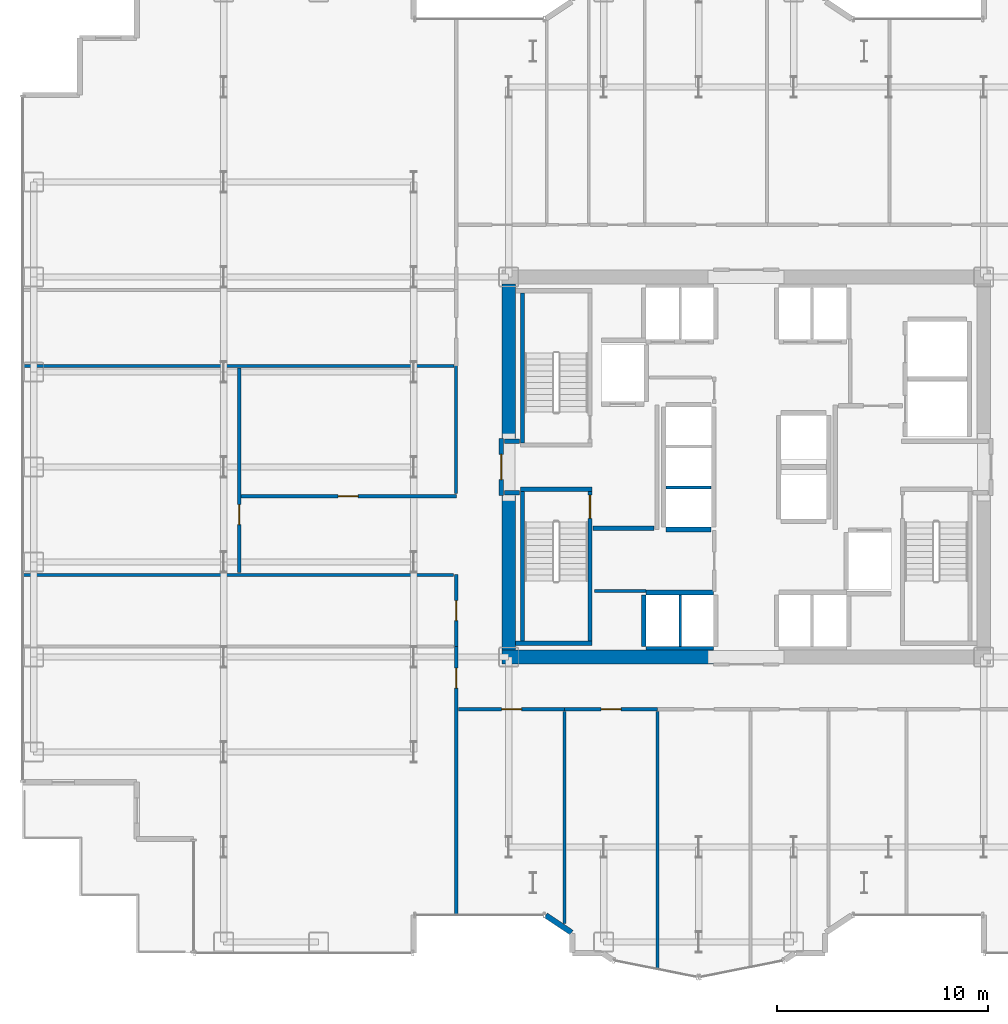
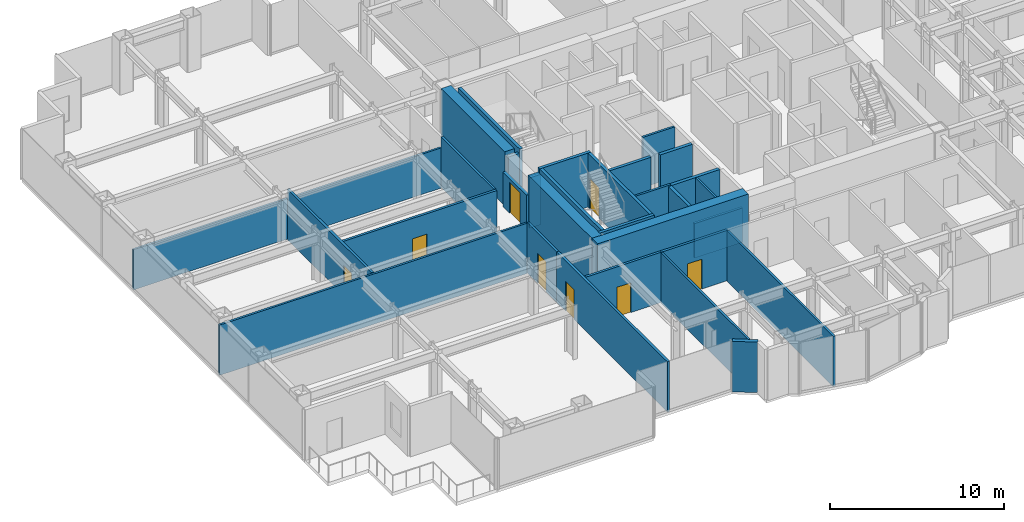
# One storey, part 20 of 27: 31 walls, 8 doors, 8 openings.
"""IFC4 building model written with IfcOpenShell, lengths in metres."""

from ifc_helpers import new_model, si_unit, direction, frame, frame_2d, origin, place, context, subcontext, project, spatial, rectangle, extrude, source, transform, mapped, material, layer, layer_set, type_object, element, fill, save


model = new_model("IFC4")

# Units and contexts
model_context = context("Model", 3, precision=1e-05, world=origin(), true_north=direction((0.0, 1.0)))
body_context = subcontext(model_context, "Body", "Model", "MODEL_VIEW")
ifc_project = project(units=[si_unit("LENGTHUNIT", "METRE"), si_unit("AREAUNIT", "SQUARE_METRE"), si_unit("VOLUMEUNIT", "CUBIC_METRE"), si_unit("PLANEANGLEUNIT", "RADIAN"), si_unit("MASSUNIT", "GRAM", prefix="KILO")], contexts=[model_context])

# Site, building, storey
site_placement = place(None, origin())
site = spatial("IfcSite", under=ifc_project, at=site_placement, CompositionType="ELEMENT")
building_placement = place(site_placement, origin())
building = spatial("IfcBuilding", under=site, at=building_placement, Name="Nefas-Gora Pilgrimage Tower", CompositionType="ELEMENT")
storey_placement = place(building_placement, frame((0.0, 0.0, 48.199951171875)))
storey = spatial("IfcBuildingStorey", under=building, at=storey_placement, Name="L10", CompositionType="ELEMENT", Elevation=48.199951171875)

# Walls
ifc_material_1 = material(Name="Concrete C60/75", Category="concrete")
ifc_layer_1 = layer(ifc_material_1, 0.64990234375)
ifc_layer_set_1 = layer_set([ifc_layer_1], Name="Concrete C60/75")
wall_type_1 = type_object("IfcWallType", Name="SW-CORE-650", PredefinedType="SHEAR", material=ifc_layer_set_1)
shared_shape_1 = source(origin(), body_context, "Body", "SweptSolid", [
    extrude(rectangle(XDim=10.02490234375, YDim=0.64990234375, at=frame_2d((5.012451171875, 0.0))), origin(), (0.0, 0.0, 1.0), 3.800048828125),
])
wall_1_placement = place(storey_placement, frame((-11.574951171875, -9.0, 0.0), z_axis=(0.0, 0.0, 1.0), x_axis=(1.0, 0.0, 0.0)))
element("IfcWall", 1, at=wall_1_placement, inside=storey, type_object=wall_type_1, Name="L10 Core Shear Wall S-West", PredefinedType="SHEAR", context=body_context, shape_type="MappedRepresentation", body=[
    mapped(shared_shape_1, transform((0.0, 0.0, 0.0), x_axis=(1.0, 0.0, 0.0), y_axis=(0.0, 1.0, 0.0), z_axis=(0.0, 0.0, 1.0), scale=1.0)),
])
shared_shape_2 = source(origin(), body_context, "Body", "SweptSolid", [
    extrude(rectangle(XDim=7.324951171875, YDim=0.64990234375, at=frame_2d((3.66259765625, 0.0))), origin(), (0.0, 0.0, 1.0), 3.800048828125),
])
for number, where, z_axis, x_axis, name in (
    (2, (-11.25, -8.675048828125, 0.0), (0.0, 0.0, 1.0), (0.0, 1.0, 0.0), "L10 Core Shear Wall W-South"),
    (3, (-11.25, 1.35009765625, 0.0), (0.0, 0.0, 1.0), (0.0, 1.0, 0.0), "L10 Core Shear Wall W-North"),
):
    element("IfcWall", number, at=place(storey_placement, frame(where, z_axis=z_axis, x_axis=x_axis)), inside=storey, type_object=wall_type_1, Name=name, PredefinedType="SHEAR", context=body_context, shape_type="MappedRepresentation", body=[
        mapped(shared_shape_2, transform((0.0, 0.0, 0.0), x_axis=(1.0, 0.0, 0.0), y_axis=(0.0, 1.0, 0.0), z_axis=(0.0, 0.0, 1.0), scale=1.0)),
    ])
ifc_material_2 = material(Name="Precast concrete C40/50", Category="concrete")
ifc_layer_2 = layer(ifc_material_2, 0.260009765625)
ifc_layer_set_2 = layer_set([ifc_layer_2], Name="Precast concrete C40/50")
wall_type_2 = type_object("IfcWallType", Name="EW-PORTAL-260", PredefinedType="SOLIDWALL", material=ifc_layer_set_2)
shared_shape_3 = source(origin(), body_context, "Body", "SweptSolid", [
    extrude(rectangle(XDim=1.468994140625, YDim=0.260009765625, at=frame_2d((0.734375, 0.0))), origin(), (0.0, 0.0, 1.0), 3.550048828125),
])
wall_2_placement = place(storey_placement, frame((-9.49462890625, -21.235595703125, 0.0), z_axis=(0.0, 0.0, 1.0), x_axis=(0.831461760506, -0.555581983884, 0.0)))
element("IfcWall", 4, at=wall_2_placement, inside=storey, type_object=wall_type_2, Name="L10 Lobe Shoulder Precast Spandrel Pier 28", PredefinedType="SOLIDWALL", context=body_context, shape_type="MappedRepresentation", body=[
    mapped(shared_shape_3, transform((0.0, 0.0, 0.0), x_axis=(1.0, 0.0, 0.0), y_axis=(0.0, 1.0, 0.0), z_axis=(0.0, 0.0, 1.0), scale=1.0)),
])
ifc_material_3 = material(Name="Concrete C45/55", Category="concrete")
ifc_layer_3 = layer(ifc_material_3, 0.199951171875)
ifc_layer_set_3 = layer_set([ifc_layer_3], Name="Concrete C45/55")
wall_type_3 = type_object("IfcWallType", Name="IW-STAIR-200", PredefinedType="SOLIDWALL", material=ifc_layer_set_3)
shared_shape_4 = source(origin(), body_context, "Body", "SweptSolid", [
    extrude(rectangle(XDim=3.39990234375, YDim=0.199951171875, at=frame_2d((1.699951171875, 0.0))), origin(), (0.0, 0.0, 1.0), 3.800048828125),
])
wall_3_placement = place(storey_placement, frame((-10.699951171875, -1.050048828125, 0.0), z_axis=(0.0, 0.0, 1.0), x_axis=(1.0, 0.0, 0.0)))
element("IfcWall", 5, at=wall_3_placement, inside=storey, type_object=wall_type_3, Name="L10 Stairwell Shear Wall ST-03-near", PredefinedType="SOLIDWALL", context=body_context, shape_type="MappedRepresentation", body=[
    mapped(shared_shape_4, transform((0.0, 0.0, 0.0), x_axis=(1.0, 0.0, 0.0), y_axis=(0.0, 1.0, 0.0), z_axis=(0.0, 0.0, 1.0), scale=1.0)),
])
shared_shape_5 = source(origin(), body_context, "Body", "SweptSolid", [
    extrude(rectangle(XDim=3.6298828125, YDim=0.199951171875, at=frame_2d((1.81494140625, 0.0))), origin(), (0.0, 0.0, 1.0), 3.800048828125),
])
wall_4_placement = place(storey_placement, frame((-10.929931640625, -8.35009765625, 0.0), z_axis=(0.0, 0.0, 1.0), x_axis=(1.0, 0.0, 0.0)))
element("IfcWall", 6, at=wall_4_placement, inside=storey, type_object=wall_type_3, Name="L10 Stairwell Shear Wall ST-03-far", PredefinedType="SOLIDWALL", context=body_context, shape_type="MappedRepresentation", body=[
    mapped(shared_shape_5, transform((0.0, 0.0, 0.0), x_axis=(1.0, 0.0, 0.0), y_axis=(0.0, 1.0, 0.0), z_axis=(0.0, 0.0, 1.0), scale=1.0)),
])
shared_shape_6 = source(origin(), body_context, "Body", "SweptSolid", [
    extrude(rectangle(XDim=7.10009765625, YDim=0.199951171875, at=frame_2d((3.550048828125, 0.0))), origin(), (0.0, 0.0, 1.0), 3.800048828125),
])
for number, where, z_axis, x_axis, name in (
    (7, (-10.60009765625, 1.14990234375, 0.0), (0.0, 0.0, 1.0), (0.0, 1.0, 0.0), "L10 Stairwell Shear Wall ST-01-right"),
    (8, (-10.60009765625, -1.14990234375, 0.0), (0.0, 0.0, 1.0), (0.0, -1.0, 0.0), "L10 Stairwell Shear Wall ST-03-left"),
):
    element("IfcWall", number, at=place(storey_placement, frame(where, z_axis=z_axis, x_axis=x_axis)), inside=storey, type_object=wall_type_3, Name=name, PredefinedType="SOLIDWALL", context=body_context, shape_type="MappedRepresentation", body=[
        mapped(shared_shape_6, transform((0.0, 0.0, 0.0), x_axis=(1.0, 0.0, 0.0), y_axis=(0.0, 1.0, 0.0), z_axis=(0.0, 0.0, 1.0), scale=1.0)),
    ])

# Wall, opening, door
wall_5_placement = place(storey_placement, frame((-7.39990234375, -1.14990234375, 0.0), z_axis=(0.0, 0.0, 1.0), x_axis=(0.0, -1.0, 0.0)))
wall_5 = element("IfcWall", 9, at=wall_5_placement, inside=storey, type_object=wall_type_3, Name="L10 Stairwell Shear Wall ST-03-right", PredefinedType="SOLIDWALL", context=body_context, shape_type="MappedRepresentation", body=[
    mapped(shared_shape_6, transform((0.0, 0.0, 0.0), x_axis=(1.0, 0.0, 0.0), y_axis=(0.0, 1.0, 0.0), z_axis=(0.0, 0.0, 1.0), scale=1.0)),
])
opening_1_placement = place(wall_5_placement, frame((0.179931640625, 0.0, 0.0)))
opening_1 = element("IfcOpeningElement", 10, at=opening_1_placement, cuts=wall_5, Name="Opening ID-ST1", PredefinedType="OPENING", context=body_context, shape_type="SweptSolid", body=[
    extrude(rectangle(XDim=1.10009765625, YDim=2.14990234375, at=frame_2d((0.550048828125, 1.074951171875))), frame((0.0, 0.10986328125, 0.0), z_axis=(0.0, -1.0, 0.0), x_axis=(1.0, 0.0, 0.0)), (0.0, 0.0, 1.0), 0.219970703125),
])
ifc_material_4 = material(Name="Painted galvanised steel fire stair door", Category="steel")
door_type_1 = type_object("IfcDoorType", Name="DR-INT-STAIR-1100", OperationType="NOTDEFINED", PredefinedType="DOOR", material=ifc_material_4)
shared_shape_7 = source(origin(), body_context, "Body", "SweptSolid", [
    extrude(rectangle(XDim=1.10009765625, YDim=2.14990234375, at=frame_2d((0.550048828125, 1.074951171875))), frame((0.0, 0.02490234375, 0.0), z_axis=(0.0, -1.0, 0.0), x_axis=(1.0, 0.0, 0.0)), (0.0, 0.0, 1.0), 0.050048828125),
])
door_1_placement = place(opening_1_placement, origin())
door_1 = element("IfcDoor", 11, at=door_1_placement, inside=storey, type_object=door_type_1, Name="L10 Protected Exit Stair Door ST-03", OperationType="SINGLE_SWING_RIGHT", OverallHeight=2.14990234375, OverallWidth=1.10009765625, PredefinedType="DOOR", context=body_context, shape_type="MappedRepresentation", body=[
    mapped(shared_shape_7, transform((0.0, 0.0, 0.0), x_axis=(1.0, 0.0, 0.0), y_axis=(0.0, 1.0, 0.0), z_axis=(0.0, 0.0, 1.0), scale=1.0)),
])
fill(opening_1, door_1)

# Walls
ifc_material_5 = material(Name="Gypsum acoustic stud partition")
ifc_layer_4 = layer(ifc_material_5, 0.159912109375)
ifc_layer_set_4 = layer_set([ifc_layer_4], Name="Gypsum acoustic stud partition")
wall_type_4 = type_object("IfcWallType", Name="IW-CORR-160", PredefinedType="PARTITIONING", material=ifc_layer_set_4)
shared_shape_8 = source(origin(), body_context, "Body", "SweptSolid", [
    extrude(rectangle(XDim=3.199951171875, YDim=0.159912109375, at=frame_2d((1.60009765625, 0.0))), origin(), (0.0, 0.0, 1.0), 2.425048828125),
])
wall_6_placement = place(storey_placement, frame((-4.75, -8.580078125, 0.0), z_axis=(0.0, 0.0, 1.0), x_axis=(1.0, 0.0, 0.0)))
element("IfcWall", 12, at=wall_6_placement, inside=storey, type_object=wall_type_4, Name="L10 Hoistway Wall PL2-W-S", PredefinedType="PARTITIONING", context=body_context, shape_type="MappedRepresentation", body=[
    mapped(shared_shape_8, transform((0.0, 0.0, 0.0), x_axis=(1.0, 0.0, 0.0), y_axis=(0.0, 1.0, 0.0), z_axis=(0.0, 0.0, 1.0), scale=1.0)),
])
ifc_material_6 = material(Name="Concrete C40/50", Category="concrete")
ifc_layer_5 = layer(ifc_material_6, 0.219970703125)
ifc_layer_set_5 = layer_set([ifc_layer_5], Name="Concrete C40/50")
wall_type_5 = type_object("IfcWallType", Name="IW-SHAFT-220", PredefinedType="SOLIDWALL", material=ifc_layer_set_5)
shared_shape_9 = source(origin(), body_context, "Body", "SweptSolid", [
    extrude(rectangle(XDim=3.199951171875, YDim=0.219970703125, at=frame_2d((1.60009765625, 0.0))), origin(), (0.0, 0.0, 1.0), 3.53515625),
])
wall_7_placement = place(storey_placement, frame((-1.550048828125, -5.93994140625, 0.0), z_axis=(0.0, 0.0, 1.0), x_axis=(-1.0, 0.0, 0.0)))
element("IfcWall", 13, at=wall_7_placement, inside=storey, type_object=wall_type_5, Name="L10 Hoistway Wall PL2-W-N", PredefinedType="SOLIDWALL", context=body_context, shape_type="MappedRepresentation", body=[
    mapped(shared_shape_9, transform((0.0, 0.0, 0.0), x_axis=(1.0, 0.0, 0.0), y_axis=(0.0, 1.0, 0.0), z_axis=(0.0, 0.0, 1.0), scale=1.0)),
])
shared_shape_10 = source(origin(), body_context, "Body", "SweptSolid", [
    extrude(rectangle(XDim=2.429931640625, YDim=0.219970703125, at=frame_2d((1.21484375, 0.0))), origin(), (0.0, 0.0, 1.0), 3.53515625),
])
wall_8_placement = place(storey_placement, frame((-4.860107421875, -6.06005859375, 0.0), z_axis=(0.0, 0.0, 1.0), x_axis=(0.0, -1.0, 0.0)))
element("IfcWall", 14, at=wall_8_placement, inside=storey, type_object=wall_type_5, Name="L10 Hoistway Wall PL2-W-W", PredefinedType="SOLIDWALL", context=body_context, shape_type="MappedRepresentation", body=[
    mapped(shared_shape_10, transform((0.0, 0.0, 0.0), x_axis=(1.0, 0.0, 0.0), y_axis=(0.0, 1.0, 0.0), z_axis=(0.0, 0.0, 1.0), scale=1.0)),
])
ifc_material_7 = material(Name="Gypsum twin-stud partition")
ifc_layer_6 = layer(ifc_material_7, 0.139892578125)
ifc_layer_set_6 = layer_set([ifc_layer_6], Name="Gypsum twin-stud partition")
wall_type_6 = type_object("IfcWallType", Name="IW-UNIT-140", PredefinedType="PARTITIONING", material=ifc_layer_set_6)
shared_shape_11 = source(origin(), body_context, "Body", "SweptSolid", [
    extrude(rectangle(XDim=2.429931640625, YDim=0.139892578125, at=frame_2d((1.21484375, 0.0))), origin(), (0.0, 0.0, 1.0), 3.53515625),
])
wall_9_placement = place(storey_placement, frame((-3.125, -8.489990234375, 0.0), z_axis=(0.0, 0.0, 1.0), x_axis=(0.0, 1.0, 0.0)))
element("IfcWall", 15, at=wall_9_placement, inside=storey, type_object=wall_type_6, Name="L10 Hoistway Wall PL2-W-DIV", PredefinedType="PARTITIONING", context=body_context, shape_type="MappedRepresentation", body=[
    mapped(shared_shape_11, transform((0.0, 0.0, 0.0), x_axis=(1.0, 0.0, 0.0), y_axis=(0.0, 1.0, 0.0), z_axis=(0.0, 0.0, 1.0), scale=1.0)),
])
shared_shape_12 = source(origin(), body_context, "Body", "SweptSolid", [
    extrude(rectangle(XDim=2.130126953125, YDim=0.219970703125, at=frame_2d((1.06494140625, 0.0))), origin(), (0.0, 0.0, 1.0), 3.53515625),
])
wall_10_placement = place(storey_placement, frame((-3.7900390625, -2.9599609375, 0.0), z_axis=(0.0, 0.0, 1.0), x_axis=(1.0, 0.0, 0.0)))
element("IfcWall", 16, at=wall_10_placement, inside=storey, type_object=wall_type_5, Name="L10 Hoistway Wall PL3-01-S", PredefinedType="SOLIDWALL", context=body_context, shape_type="MappedRepresentation", body=[
    mapped(shared_shape_12, transform((0.0, 0.0, 0.0), x_axis=(1.0, 0.0, 0.0), y_axis=(0.0, 1.0, 0.0), z_axis=(0.0, 0.0, 1.0), scale=1.0)),
])
shared_shape_13 = source(origin(), body_context, "Body", "SweptSolid", [
    extrude(rectangle(XDim=2.130126953125, YDim=0.139892578125, at=frame_2d((1.06494140625, 0.0))), origin(), (0.0, 0.0, 1.0), 3.53515625),
])
wall_11_placement = place(storey_placement, frame((-3.7900390625, -0.97509765625, 0.0), z_axis=(0.0, 0.0, 1.0), x_axis=(1.0, 0.0, 0.0)))
element("IfcWall", 17, at=wall_11_placement, inside=storey, type_object=wall_type_6, Name="L10 Hoistway Wall PL3-01-02-DIV", PredefinedType="PARTITIONING", context=body_context, shape_type="MappedRepresentation", body=[
    mapped(shared_shape_13, transform((0.0, 0.0, 0.0), x_axis=(1.0, 0.0, 0.0), y_axis=(0.0, 1.0, 0.0), z_axis=(0.0, 0.0, 1.0), scale=1.0)),
])

# Wall, opening, door
ifc_material_8 = material(Name="Gypsum fire-rated shaftwall")
ifc_layer_7 = layer(ifc_material_8, 0.199951171875)
ifc_layer_set_7 = layer_set([ifc_layer_7], Name="Gypsum fire-rated shaftwall")
wall_type_7 = type_object("IfcWallType", Name="IW-FFLOB-200", PredefinedType="PARTITIONING", material=ifc_layer_set_7)
shared_shape_14 = source(origin(), body_context, "Body", "SweptSolid", [
    extrude(rectangle(XDim=2.7001953125, YDim=0.199951171875, at=frame_2d((1.35009765625, 0.0))), origin(), (0.0, 0.0, 1.0), 2.425048828125),
])
wall_12_placement = place(storey_placement, frame((-11.60009765625, -1.35009765625, 0.0), z_axis=(0.0, 0.0, 1.0), x_axis=(0.0, 1.0, 0.0)))
wall_12 = element("IfcWall", 18, at=wall_12_placement, inside=storey, type_object=wall_type_7, Name="L10 FF Lobby West Portal Wall 3", PredefinedType="PARTITIONING", context=body_context, shape_type="MappedRepresentation", body=[
    mapped(shared_shape_14, transform((0.0, 0.0, 0.0), x_axis=(1.0, 0.0, 0.0), y_axis=(0.0, 1.0, 0.0), z_axis=(0.0, 0.0, 1.0), scale=1.0)),
])
opening_2_placement = place(wall_12_placement, frame((0.75, 0.0, 0.0)))
opening_2 = element("IfcOpeningElement", 19, at=opening_2_placement, cuts=wall_12, Name="Opening ID-FF1", PredefinedType="OPENING", context=body_context, shape_type="SweptSolid", body=[
    extrude(rectangle(XDim=1.199951171875, YDim=2.14990234375, at=frame_2d((0.60009765625, 1.074951171875))), frame((0.0, 0.10986328125, 0.0), z_axis=(0.0, -1.0, 0.0), x_axis=(1.0, 0.0, 0.0)), (0.0, 0.0, 1.0), 0.219970703125),
])
ifc_material_9 = material(Name="Smoke-sealed steel firefighting lobby door", Category="steel")
door_type_2 = type_object("IfcDoorType", Name="DR-INT-FFLOB-1200", OperationType="NOTDEFINED", PredefinedType="DOOR", material=ifc_material_9)
shared_shape_15 = source(origin(), body_context, "Body", "SweptSolid", [
    extrude(rectangle(XDim=1.199951171875, YDim=2.14990234375, at=frame_2d((0.60009765625, 1.074951171875))), frame((0.0, 0.02490234375, 0.0), z_axis=(0.0, -1.0, 0.0), x_axis=(1.0, 0.0, 0.0)), (0.0, 0.0, 1.0), 0.050048828125),
])
door_2_placement = place(opening_2_placement, origin())
door_2 = element("IfcDoor", 20, at=door_2_placement, inside=storey, type_object=door_type_2, Name="L10 FF Lobby West Portal Door 1", OperationType="SINGLE_SWING_RIGHT", OverallHeight=2.14990234375, OverallWidth=1.199951171875, PredefinedType="DOOR", context=body_context, shape_type="MappedRepresentation", body=[
    mapped(shared_shape_15, transform((0.0, 0.0, 0.0), x_axis=(1.0, 0.0, 0.0), y_axis=(0.0, 1.0, 0.0), z_axis=(0.0, 0.0, 1.0), scale=1.0)),
])
fill(opening_2, door_2)

# Walls
shared_shape_16 = source(origin(), body_context, "Body", "SweptSolid", [
    extrude(rectangle(XDim=2.89990234375, YDim=0.199951171875, at=frame_2d((1.449951171875, 0.0))), origin(), (0.0, 0.0, 1.0), 3.53515625),
])
wall_13_placement = place(storey_placement, frame((-7.260009765625, -2.89990234375, 0.0), z_axis=(0.0, 0.0, 1.0), x_axis=(1.0, 0.0, 0.0)))
element("IfcWall", 21, at=wall_13_placement, inside=storey, type_object=wall_type_7, Name="L10 FF Lobby West South Wall Wall 5", PredefinedType="PARTITIONING", context=body_context, shape_type="MappedRepresentation", body=[
    mapped(shared_shape_16, transform((0.0, 0.0, 0.0), x_axis=(1.0, 0.0, 0.0), y_axis=(0.0, 1.0, 0.0), z_axis=(0.0, 0.0, 1.0), scale=1.0)),
])
shared_shape_17 = source(origin(), body_context, "Body", "SweptSolid", [
    extrude(rectangle(XDim=0.719970703125, YDim=0.199951171875, at=frame_2d((0.35986328125, 0.0))), origin(), (0.0, 0.0, 1.0), 3.53515625),
])
for number, where, z_axis, x_axis, name in (
    (22, (-11.4599609375, 1.219970703125, 0.0), (0.0, 0.0, 1.0), (1.0, 0.0, 0.0), "L10 FF Lobby West Throat N Wall 6"),
    (23, (-11.4599609375, -1.219970703125, 0.0), (0.0, 0.0, 1.0), (1.0, 0.0, 0.0), "L10 FF Lobby West Throat S Wall 7"),
):
    element("IfcWall", number, at=place(storey_placement, frame(where, z_axis=z_axis, x_axis=x_axis)), inside=storey, type_object=wall_type_7, Name=name, PredefinedType="PARTITIONING", context=body_context, shape_type="MappedRepresentation", body=[
        mapped(shared_shape_17, transform((0.0, 0.0, 0.0), x_axis=(1.0, 0.0, 0.0), y_axis=(0.0, 1.0, 0.0), z_axis=(0.0, 0.0, 1.0), scale=1.0)),
    ])

# Wall, opening, door
shared_shape_18 = source(origin(), body_context, "Body", "SweptSolid", [
    extrude(rectangle(XDim=12.744873046875, YDim=0.159912109375, at=frame_2d((6.37255859375, 0.0))), origin(), (0.0, 0.0, 1.0), 3.53515625),
])
wall_14_placement = place(storey_placement, frame((-13.739990234375, -21.239990234375, 0.0), z_axis=(0.0, 0.0, 1.0), x_axis=(0.0, 1.0, 0.0)))
wall_14 = element("IfcWall", 24, at=wall_14_placement, inside=storey, type_object=wall_type_4, Name="L10 Pilgrim Tea and Beverage Pantry Partition Wall 23", PredefinedType="PARTITIONING", context=body_context, shape_type="MappedRepresentation", body=[
    mapped(shared_shape_18, transform((0.0, 0.0, 0.0), x_axis=(1.0, 0.0, 0.0), y_axis=(0.0, 1.0, 0.0), z_axis=(0.0, 0.0, 1.0), scale=1.0)),
])
opening_3_placement = place(wall_14_placement, frame((10.762451171875, 0.0, 0.0)))
opening_3 = element("IfcOpeningElement", 25, at=opening_3_placement, cuts=wall_14, Name="Opening ID-GR1", PredefinedType="OPENING", context=body_context, shape_type="SweptSolid", body=[
    extrude(rectangle(XDim=0.949951171875, YDim=2.10009765625, at=frame_2d((0.47509765625, 1.050048828125))), frame((0.0, 0.08984375, 0.0), z_axis=(0.0, -1.0, 0.0), x_axis=(1.0, 0.0, 0.0)), (0.0, 0.0, 1.0), 0.179931640625),
])
ifc_material_10 = material(Name="Solid core oak fire-rated guest entrance door")
door_type_3 = type_object("IfcDoorType", Name="DR-INT-GUEST-950", OperationType="NOTDEFINED", PredefinedType="DOOR", material=ifc_material_10)
shared_shape_19 = source(origin(), body_context, "Body", "SweptSolid", [
    extrude(rectangle(XDim=0.949951171875, YDim=2.10009765625, at=frame_2d((0.47509765625, 1.050048828125))), frame((0.0, 0.02490234375, 0.0), z_axis=(0.0, -1.0, 0.0), x_axis=(1.0, 0.0, 0.0)), (0.0, 0.0, 1.0), 0.050048828125),
])
door_3_placement = place(opening_3_placement, origin())
door_3 = element("IfcDoor", 26, at=door_3_placement, inside=storey, type_object=door_type_3, Name="L10 Pilgrim Tea and Beverage Pantry Door 9", OperationType="SINGLE_SWING_RIGHT", OverallHeight=2.10009765625, OverallWidth=0.949951171875, PredefinedType="DOOR", context=body_context, shape_type="MappedRepresentation", body=[
    mapped(shared_shape_19, transform((0.0, 0.0, 0.0), x_axis=(1.0, 0.0, 0.0), y_axis=(0.0, 1.0, 0.0), z_axis=(0.0, 0.0, 1.0), scale=1.0)),
])
fill(opening_3, door_3)

shared_shape_20 = source(origin(), body_context, "Body", "SweptSolid", [
    extrude(rectangle(XDim=3.409912109375, YDim=0.159912109375, at=frame_2d((1.705078125, 0.0))), origin(), (0.0, 0.0, 1.0), 3.53515625),
])
wall_15_placement = place(storey_placement, frame((-13.739990234375, -8.5048828125, 0.0), z_axis=(0.0, 0.0, 1.0), x_axis=(0.0, 1.0, 0.0)))
wall_15 = element("IfcWall", 27, at=wall_15_placement, inside=storey, type_object=wall_type_4, Name="L10 Pilgrim Fellowship Seminar Room Partition Wall 25", PredefinedType="PARTITIONING", context=body_context, shape_type="MappedRepresentation", body=[
    mapped(shared_shape_20, transform((0.0, 0.0, 0.0), x_axis=(1.0, 0.0, 0.0), y_axis=(0.0, 1.0, 0.0), z_axis=(0.0, 0.0, 1.0), scale=1.0)),
])
opening_4_placement = place(wall_15_placement, frame((1.22998046875, 0.0, 0.0)))
opening_4 = element("IfcOpeningElement", 28, at=opening_4_placement, cuts=wall_15, Name="Opening ID-GR1", PredefinedType="OPENING", context=body_context, shape_type="SweptSolid", body=[
    extrude(rectangle(XDim=0.949951171875, YDim=2.10009765625, at=frame_2d((0.47509765625, 1.050048828125))), frame((0.0, 0.08984375, 0.0), z_axis=(0.0, -1.0, 0.0), x_axis=(1.0, 0.0, 0.0)), (0.0, 0.0, 1.0), 0.179931640625),
])
door_4_placement = place(opening_4_placement, origin())
door_4 = element("IfcDoor", 29, at=door_4_placement, inside=storey, type_object=door_type_3, Name="L10 Pilgrim Fellowship Seminar Room Door 10", OperationType="SINGLE_SWING_LEFT", OverallHeight=2.10009765625, OverallWidth=0.949951171875, PredefinedType="DOOR", context=body_context, shape_type="MappedRepresentation", body=[
    mapped(shared_shape_19, transform((0.0, 0.0, 0.0), x_axis=(1.0, 0.0, 0.0), y_axis=(0.0, 1.0, 0.0), z_axis=(0.0, 0.0, 1.0), scale=1.0)),
])
fill(opening_4, door_4)

shared_shape_21 = source(origin(), body_context, "Body", "SweptSolid", [
    extrude(rectangle(XDim=10.25, YDim=0.159912109375, at=frame_2d((5.125, 0.0))), origin(), (0.0, 0.0, 1.0), 3.53515625),
])
wall_16_placement = place(storey_placement, frame((-23.97998046875, -1.3798828125, 0.0), z_axis=(0.0, 0.0, 1.0), x_axis=(1.0, 0.0, 0.0)))
wall_16 = element("IfcWall", 30, at=wall_16_placement, inside=storey, type_object=wall_type_4, Name="L10 Pilgrim Fellowship Seminar Room Partition Wall 27", PredefinedType="PARTITIONING", context=body_context, shape_type="MappedRepresentation", body=[
    mapped(shared_shape_21, transform((0.0, 0.0, 0.0), x_axis=(1.0, 0.0, 0.0), y_axis=(0.0, 1.0, 0.0), z_axis=(0.0, 0.0, 1.0), scale=1.0)),
])
opening_5_placement = place(wall_16_placement, frame((4.64990234375, 0.0, 0.0)))
opening_5 = element("IfcOpeningElement", 31, at=opening_5_placement, cuts=wall_16, Name="Opening ID-GR1", PredefinedType="OPENING", context=body_context, shape_type="SweptSolid", body=[
    extrude(rectangle(XDim=0.949951171875, YDim=2.10009765625, at=frame_2d((0.47509765625, 1.050048828125))), frame((0.0, 0.08984375, 0.0), z_axis=(0.0, -1.0, 0.0), x_axis=(1.0, 0.0, 0.0)), (0.0, 0.0, 1.0), 0.179931640625),
])
door_5_placement = place(opening_5_placement, origin())
door_5 = element("IfcDoor", 32, at=door_5_placement, inside=storey, type_object=door_type_3, Name="L10 Pilgrim Fellowship Seminar Room Door 11", OperationType="SINGLE_SWING_RIGHT", OverallHeight=2.10009765625, OverallWidth=0.949951171875, PredefinedType="DOOR", context=body_context, shape_type="MappedRepresentation", body=[
    mapped(shared_shape_19, transform((0.0, 0.0, 0.0), x_axis=(1.0, 0.0, 0.0), y_axis=(0.0, 1.0, 0.0), z_axis=(0.0, 0.0, 1.0), scale=1.0)),
])
fill(opening_5, door_5)

# Wall
shared_shape_22 = source(origin(), body_context, "Body", "SweptSolid", [
    extrude(rectangle(XDim=6.06494140625, YDim=0.139892578125, at=frame_2d((3.032470703125, 0.0))), origin(), (0.0, 0.0, 1.0), 3.53515625),
])
wall_17_placement = place(storey_placement, frame((-13.739990234375, -1.260009765625, 0.0), z_axis=(0.0, 0.0, 1.0), x_axis=(0.0, 1.0, 0.0)))
element("IfcWall", 33, at=wall_17_placement, inside=storey, type_object=wall_type_6, Name="L10 Pilgrim Fellowship Seminar Room Partition Wall 28", PredefinedType="PARTITIONING", context=body_context, shape_type="MappedRepresentation", body=[
    mapped(shared_shape_22, transform((0.0, 0.0, 0.0), x_axis=(1.0, 0.0, 0.0), y_axis=(0.0, 1.0, 0.0), z_axis=(0.0, 0.0, 1.0), scale=1.0)),
])

# Wall, opening, door
shared_shape_23 = source(origin(), body_context, "Body", "SweptSolid", [
    extrude(rectangle(XDim=9.68017578125, YDim=0.159912109375, at=frame_2d((4.840087890625, 0.0))), origin(), (0.0, 0.0, 1.0), 3.53515625),
])
wall_18_placement = place(storey_placement, frame((-24.02001953125, -4.9951171875, 0.0), z_axis=(0.0, 0.0, 1.0), x_axis=(0.0, 1.0, 0.0)))
wall_18 = element("IfcWall", 34, at=wall_18_placement, inside=storey, type_object=wall_type_4, Name="L10 Pilgrim Fellowship Seminar Room Partition Wall 30", PredefinedType="PARTITIONING", context=body_context, shape_type="MappedRepresentation", body=[
    mapped(shared_shape_23, transform((0.0, 0.0, 0.0), x_axis=(1.0, 0.0, 0.0), y_axis=(0.0, 1.0, 0.0), z_axis=(0.0, 0.0, 1.0), scale=1.0)),
])
opening_6_placement = place(wall_18_placement, frame((2.27001953125, 0.0, 0.0)))
opening_6 = element("IfcOpeningElement", 35, at=opening_6_placement, cuts=wall_18, Name="Opening ID-GR1", PredefinedType="OPENING", context=body_context, shape_type="SweptSolid", body=[
    extrude(rectangle(XDim=0.949951171875, YDim=2.10009765625, at=frame_2d((0.47509765625, 1.050048828125))), frame((0.0, 0.08984375, 0.0), z_axis=(0.0, -1.0, 0.0), x_axis=(1.0, 0.0, 0.0)), (0.0, 0.0, 1.0), 0.179931640625),
])
door_6_placement = place(opening_6_placement, origin())
door_6 = element("IfcDoor", 36, at=door_6_placement, inside=storey, type_object=door_type_3, Name="L10 Pilgrim Fellowship Seminar Room Door 12", OperationType="SINGLE_SWING_LEFT", OverallHeight=2.10009765625, OverallWidth=0.949951171875, PredefinedType="DOOR", context=body_context, shape_type="MappedRepresentation", body=[
    mapped(shared_shape_19, transform((0.0, 0.0, 0.0), x_axis=(1.0, 0.0, 0.0), y_axis=(0.0, 1.0, 0.0), z_axis=(0.0, 0.0, 1.0), scale=1.0)),
])
fill(opening_6, door_6)

shared_shape_24 = source(origin(), body_context, "Body", "SweptSolid", [
    extrude(rectangle(XDim=5.025146484375, YDim=0.159912109375, at=frame_2d((2.5126953125, 0.0))), origin(), (0.0, 0.0, 1.0), 3.53515625),
])
wall_19_placement = place(storey_placement, frame((-13.6201171875, -11.469970703125, 0.0), z_axis=(0.0, 0.0, 1.0), x_axis=(1.0, 0.0, 0.0)))
wall_19 = element("IfcWall", 37, at=wall_19_placement, inside=storey, type_object=wall_type_4, Name="L10 Pilgrim Contemplative Lounge Partition Wall 52", PredefinedType="PARTITIONING", context=body_context, shape_type="MappedRepresentation", body=[
    mapped(shared_shape_24, transform((0.0, 0.0, 0.0), x_axis=(1.0, 0.0, 0.0), y_axis=(0.0, 1.0, 0.0), z_axis=(0.0, 0.0, 1.0), scale=1.0)),
])
opening_7_placement = place(wall_19_placement, frame((2.03759765625, 0.0, 0.0)))
opening_7 = element("IfcOpeningElement", 38, at=opening_7_placement, cuts=wall_19, Name="Opening ID-GR1", PredefinedType="OPENING", context=body_context, shape_type="SweptSolid", body=[
    extrude(rectangle(XDim=0.949951171875, YDim=2.10009765625, at=frame_2d((0.47509765625, 1.050048828125))), frame((0.0, 0.08984375, 0.0), z_axis=(0.0, -1.0, 0.0), x_axis=(1.0, 0.0, 0.0)), (0.0, 0.0, 1.0), 0.179931640625),
])
door_7_placement = place(opening_7_placement, origin())
door_7 = element("IfcDoor", 39, at=door_7_placement, inside=storey, type_object=door_type_3, Name="L10 Pilgrim Contemplative Lounge Door 25", OperationType="SINGLE_SWING_RIGHT", OverallHeight=2.10009765625, OverallWidth=0.949951171875, PredefinedType="DOOR", context=body_context, shape_type="MappedRepresentation", body=[
    mapped(shared_shape_19, transform((0.0, 0.0, 0.0), x_axis=(1.0, 0.0, 0.0), y_axis=(0.0, 1.0, 0.0), z_axis=(0.0, 0.0, 1.0), scale=1.0)),
])
fill(opening_7, door_7)

# Wall
shared_shape_25 = source(origin(), body_context, "Body", "SweptSolid", [
    extrude(rectangle(XDim=10.037841796875, YDim=0.139892578125, at=frame_2d((5.01904296875, 0.0))), origin(), (0.0, 0.0, 1.0), 3.53515625),
])
wall_20_placement = place(storey_placement, frame((-8.60498046875, -21.6279296875, 0.0), z_axis=(0.0, 0.0, 1.0), x_axis=(0.0, 1.0, 0.0)))
element("IfcWall", 40, at=wall_20_placement, inside=storey, type_object=wall_type_6, Name="L10 Pilgrim Contemplative Lounge Partition Wall 53", PredefinedType="PARTITIONING", context=body_context, shape_type="MappedRepresentation", body=[
    mapped(shared_shape_25, transform((0.0, 0.0, 0.0), x_axis=(1.0, 0.0, 0.0), y_axis=(0.0, 1.0, 0.0), z_axis=(0.0, 0.0, 1.0), scale=1.0)),
])

# Wall, opening, door
shared_shape_26 = source(origin(), body_context, "Body", "SweptSolid", [
    extrude(rectangle(XDim=4.405029296875, YDim=0.159912109375, at=frame_2d((2.20263671875, 0.0))), origin(), (0.0, 0.0, 1.0), 3.53515625),
])
wall_21_placement = place(storey_placement, frame((-8.60498046875, -11.469970703125, 0.0), z_axis=(0.0, 0.0, 1.0), x_axis=(1.0, 0.0, 0.0)))
wall_21 = element("IfcWall", 41, at=wall_21_placement, inside=storey, type_object=wall_type_4, Name="L10 Pilgrim Contemplative Lounge Partition Wall 54", PredefinedType="PARTITIONING", context=body_context, shape_type="MappedRepresentation", body=[
    mapped(shared_shape_26, transform((0.0, 0.0, 0.0), x_axis=(1.0, 0.0, 0.0), y_axis=(0.0, 1.0, 0.0), z_axis=(0.0, 0.0, 1.0), scale=1.0)),
])
opening_8_placement = place(wall_21_placement, frame((1.7275390625, 0.0, 0.0)))
opening_8 = element("IfcOpeningElement", 42, at=opening_8_placement, cuts=wall_21, Name="Opening ID-GR1", PredefinedType="OPENING", context=body_context, shape_type="SweptSolid", body=[
    extrude(rectangle(XDim=0.949951171875, YDim=2.10009765625, at=frame_2d((0.47509765625, 1.050048828125))), frame((0.0, 0.08984375, 0.0), z_axis=(0.0, -1.0, 0.0), x_axis=(1.0, 0.0, 0.0)), (0.0, 0.0, 1.0), 0.179931640625),
])
door_8_placement = place(opening_8_placement, origin())
door_8 = element("IfcDoor", 43, at=door_8_placement, inside=storey, type_object=door_type_3, Name="L10 Pilgrim Contemplative Lounge Door 26", OperationType="SINGLE_SWING_LEFT", OverallHeight=2.10009765625, OverallWidth=0.949951171875, PredefinedType="DOOR", context=body_context, shape_type="MappedRepresentation", body=[
    mapped(shared_shape_19, transform((0.0, 0.0, 0.0), x_axis=(1.0, 0.0, 0.0), y_axis=(0.0, 1.0, 0.0), z_axis=(0.0, 0.0, 1.0), scale=1.0)),
])
fill(opening_8, door_8)

# Walls
shared_shape_27 = source(origin(), body_context, "Body", "SweptSolid", [
    extrude(rectangle(XDim=2.43505859375, YDim=0.139892578125, at=frame_2d((1.217529296875, 0.0))), origin(), (0.0, 0.0, 1.0), 3.53515625),
])
wall_22_placement = place(storey_placement, frame((-7.18994140625, -5.8798828125, 0.0), z_axis=(0.0, 0.0, 1.0), x_axis=(1.0, 0.0, 0.0)))
element("IfcWall", 44, at=wall_22_placement, inside=storey, type_object=wall_type_6, Name="L10 Pilgrim Baggage and Gear Vault Partition Wall 19", PredefinedType="PARTITIONING", context=body_context, shape_type="MappedRepresentation", body=[
    mapped(shared_shape_27, transform((0.0, 0.0, 0.0), x_axis=(1.0, 0.0, 0.0), y_axis=(0.0, 1.0, 0.0), z_axis=(0.0, 0.0, 1.0), scale=1.0)),
])
shared_shape_28 = source(origin(), body_context, "Body", "SweptSolid", [
    extrude(rectangle(XDim=20.429931640625, YDim=0.139892578125, at=frame_2d((10.21484375, 0.0))), origin(), (0.0, 0.0, 1.0), 3.53515625),
])
wall_23_placement = place(storey_placement, frame((-34.2900390625, -5.10498046875, 0.0), z_axis=(0.0, 0.0, 1.0), x_axis=(1.0, 0.0, 0.0)))
element("IfcWall", 45, at=wall_23_placement, inside=storey, type_object=wall_type_6, Name="L10 Pilgrim Fellowship Seminar Room Partition Wall 26", PredefinedType="PARTITIONING", context=body_context, shape_type="MappedRepresentation", body=[
    mapped(shared_shape_28, transform((0.0, 0.0, 0.0), x_axis=(1.0, 0.0, 0.0), y_axis=(0.0, 1.0, 0.0), z_axis=(0.0, 0.0, 1.0), scale=1.0)),
])
shared_shape_29 = source(origin(), body_context, "Body", "SweptSolid", [
    extrude(rectangle(XDim=20.43994140625, YDim=0.139892578125, at=frame_2d((10.219970703125, 0.0))), origin(), (0.0, 0.0, 1.0), 2.824951171875),
])
wall_24_placement = place(storey_placement, frame((-34.2900390625, 4.794921875, 0.0), z_axis=(0.0, 0.0, 1.0), x_axis=(1.0, 0.0, 0.0)))
element("IfcWall", 46, at=wall_24_placement, inside=storey, type_object=wall_type_6, Name="L10 Pilgrim Fellowship Seminar Room Partition Wall 29", PredefinedType="PARTITIONING", context=body_context, shape_type="MappedRepresentation", body=[
    mapped(shared_shape_29, transform((0.0, 0.0, 0.0), x_axis=(1.0, 0.0, 0.0), y_axis=(0.0, 1.0, 0.0), z_axis=(0.0, 0.0, 1.0), scale=1.0)),
])
shared_shape_30 = source(origin(), body_context, "Body", "SweptSolid", [
    extrude(rectangle(XDim=12.216796875, YDim=0.139892578125, at=frame_2d((6.1083984375, 0.0))), origin(), (0.0, 0.0, 1.0), 3.53515625),
])
wall_25_placement = place(storey_placement, frame((-4.2099609375, -23.806884765625, 0.0), z_axis=(0.0, 0.0, 1.0), x_axis=(0.0, 1.0, 0.0)))
element("IfcWall", 47, at=wall_25_placement, inside=storey, type_object=wall_type_6, Name="L10 Pilgrim Contemplative Lounge Partition Wall 55", PredefinedType="PARTITIONING", context=body_context, shape_type="MappedRepresentation", body=[
    mapped(shared_shape_30, transform((0.0, 0.0, 0.0), x_axis=(1.0, 0.0, 0.0), y_axis=(0.0, 1.0, 0.0), z_axis=(0.0, 0.0, 1.0), scale=1.0)),
])

save(model, "model.ifc")
